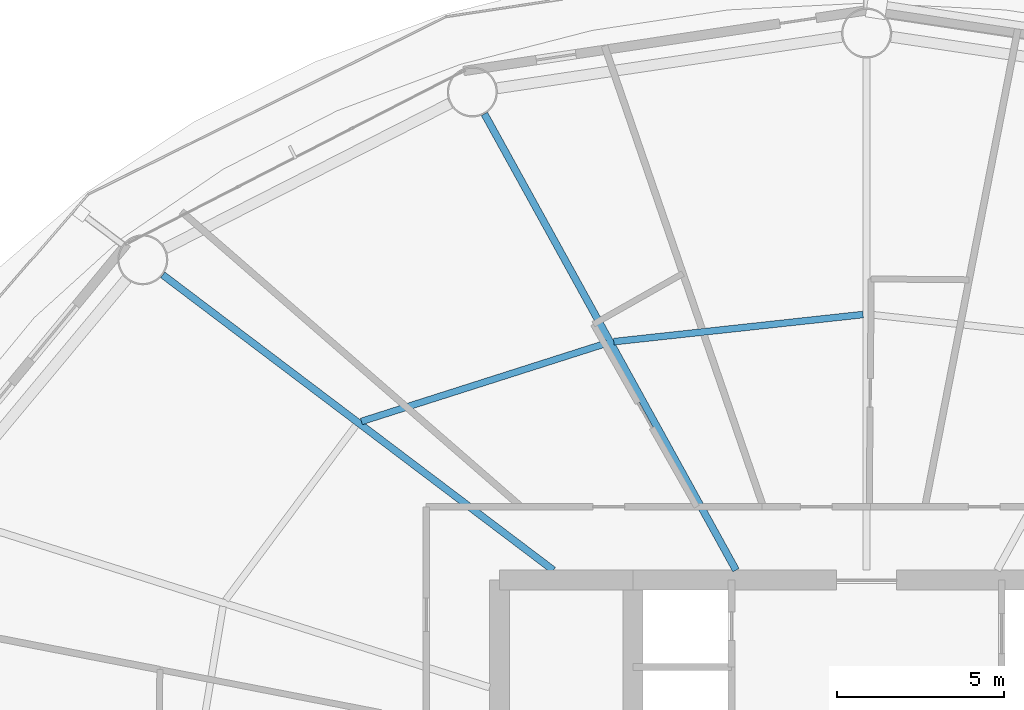
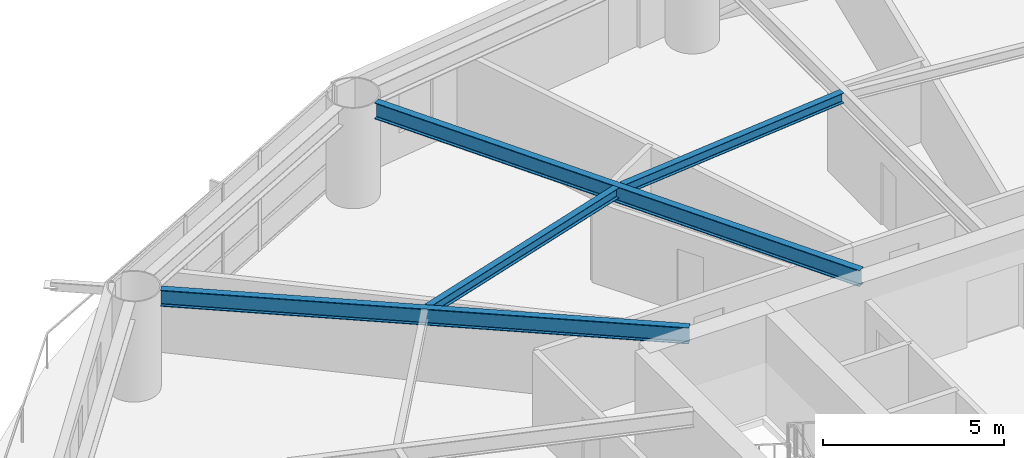
# One storey, part 11 of 26: 4 beams.
"""IFC4 building model written with IfcOpenShell, lengths in metres."""

from ifc_helpers import new_model, si_unit, direction, frame, origin, origin_2d, place, context, subcontext, project, spatial, i_section, extrude, material, material_profile, profile_set, type_object, element, save


model = new_model("IFC4")

# Units and contexts
model_context = context("Model", 3, precision=1e-05, world=origin(), true_north=direction((0.0, 1.0)))
body_context = subcontext(model_context, "Body", "Model", "MODEL_VIEW")
ifc_project = project(units=[si_unit("LENGTHUNIT", "METRE"), si_unit("AREAUNIT", "SQUARE_METRE"), si_unit("VOLUMEUNIT", "CUBIC_METRE"), si_unit("PLANEANGLEUNIT", "RADIAN"), si_unit("MASSUNIT", "GRAM", prefix="KILO")], contexts=[model_context])

# Site, building, storey
site_placement = place(None, origin())
site = spatial("IfcSite", under=ifc_project, at=site_placement, CompositionType="ELEMENT")
building_placement = place(site_placement, origin())
building = spatial("IfcBuilding", under=site, at=building_placement, Name="Sarneth Arch Tower", CompositionType="ELEMENT")
storey_placement = place(building_placement, frame((0.0, 0.0, 71.39990234375)))
storey = spatial("IfcBuildingStorey", under=building, at=storey_placement, Name="L17", CompositionType="ELEMENT", Elevation=71.39990234375)

# Beams
ifc_material_1 = material(Name="Steel S355", Category="steel")
ifc_material_profile_1 = material_profile(ifc_material_1, i_section(OverallWidth=0.202880859375, OverallDepth=0.346923828125, WebThickness=0.0078125, FlangeThickness=0.013427734375, FilletRadius=0.014892578125, at=origin_2d()), Name="W360x64")
ifc_profile_set_1 = profile_set([ifc_material_profile_1], Name="Steel S355")
beam_type_1 = type_object("IfcBeamType", Name="BM-JOIST-360C", PredefinedType="JOIST", material=ifc_profile_set_1)
beam_1_placement = place(storey_placement, frame((47.8935546875, 56.763427734375, 3.20654296875), z_axis=(-0.994129966112, -0.108192469602, 0.0), x_axis=(0.108192469602, -0.994129966112, 0.0)))
element("IfcBeam", 1, at=beam_1_placement, inside=storey, type_object=beam_type_1, Name="L17 Secondary floor joist 05", PredefinedType="JOIST", context=body_context, shape_type="SweptSolid", body=[
    extrude(i_section(OverallWidth=0.202880859375, OverallDepth=0.346923828125, WebThickness=0.0078125, FlangeThickness=0.013427734375, FilletRadius=0.014892578125, at=origin_2d()), origin(), (0.0, 0.0, 1.0), 7.5166015625),
])
beam_2_placement = place(storey_placement, frame((40.212890625, 55.906005859375, 3.20654296875), z_axis=(-0.95266836992, -0.304011475036, 0.0), x_axis=(0.304011475036, -0.95266836992, 0.0)))
element("IfcBeam", 2, at=beam_2_placement, inside=storey, type_object=beam_type_1, Name="L17 Secondary floor joist 06", PredefinedType="JOIST", context=body_context, shape_type="SweptSolid", body=[
    extrude(i_section(OverallWidth=0.202880859375, OverallDepth=0.346923828125, WebThickness=0.0078125, FlangeThickness=0.013427734375, FilletRadius=0.014892578125, at=origin_2d()), origin(), (0.0, 0.0, 1.0), 7.720703125),
])
ifc_material_2 = material(Name="Steel S355", Category="steel")
ifc_material_profile_2 = material_profile(ifc_material_2, i_section(OverallWidth=0.214111328125, OverallDepth=0.549072265625, WebThickness=0.0146484375, FlangeThickness=0.023681640625, FilletRadius=0.01806640625, at=origin_2d()), Name="W530x138")
ifc_profile_set_2 = profile_set([ifc_material_profile_2], Name="Steel S355")
beam_type_2 = type_object("IfcBeamType", Name="BM-RAD-530A", PredefinedType="BEAM", material=ifc_profile_set_2)
beam_3_placement = place(storey_placement, frame((44.08544921875, 49.10009765625, 3.105712890625), z_axis=(-0.482841370957, 0.875707833979, 0.0), x_axis=(-0.875707833979, -0.482841370957, 0.0)))
element("IfcBeam", 3, at=beam_3_placement, inside=storey, type_object=beam_type_2, Name="L17 Radial floor girder 06", PredefinedType="BEAM", context=body_context, shape_type="SweptSolid", body=[
    extrude(i_section(OverallWidth=0.214111328125, OverallDepth=0.549072265625, WebThickness=0.0146484375, FlangeThickness=0.023681640625, FilletRadius=0.01806640625, at=origin_2d()), origin(), (0.0, 0.0, 1.0), 15.618408203125),
])
beam_4_placement = place(storey_placement, frame((38.609619140625, 49.10009765625, 3.105712890625), z_axis=(-0.79765464731, 0.603114469753, 0.0), x_axis=(-0.603114469753, -0.79765464731, 0.0)))
element("IfcBeam", 4, at=beam_4_placement, inside=storey, type_object=beam_type_2, Name="L17 Radial floor girder 07", PredefinedType="BEAM", context=body_context, shape_type="SweptSolid", body=[
    extrude(i_section(OverallWidth=0.214111328125, OverallDepth=0.549072265625, WebThickness=0.0146484375, FlangeThickness=0.023681640625, FilletRadius=0.01806640625, at=origin_2d()), origin(), (0.0, 0.0, 1.0), 14.677978515625),
])

save(model, "model.ifc")
